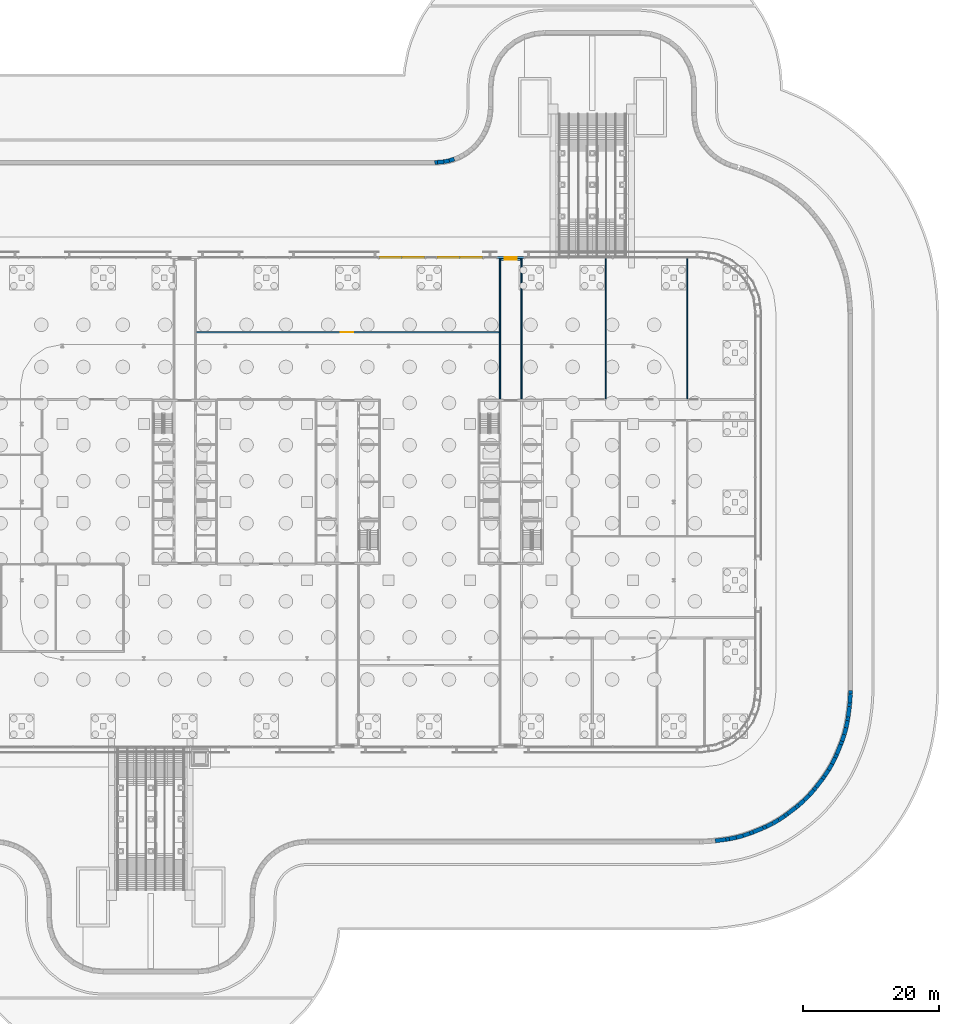
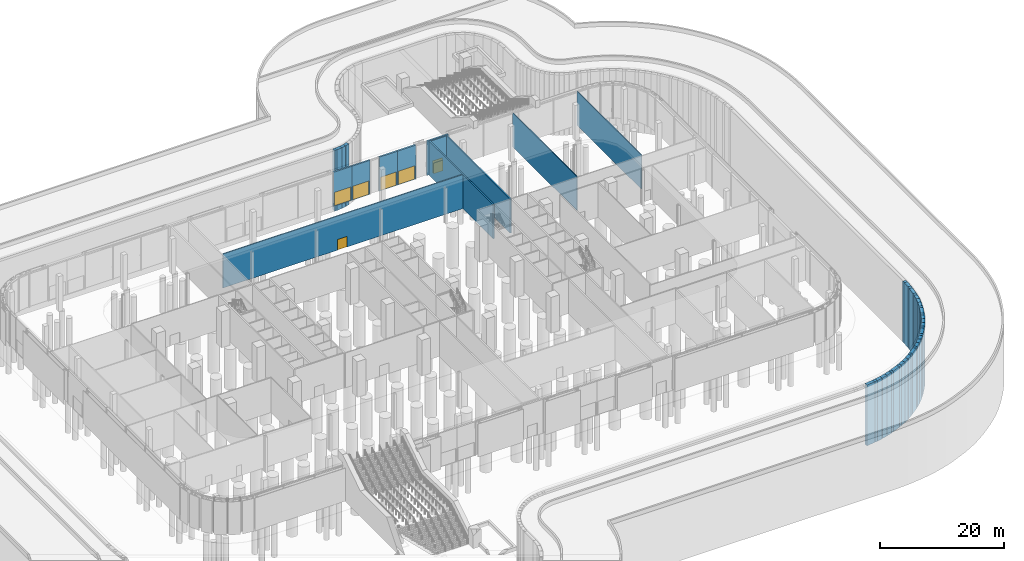
# One storey, part 29 of 48: 49 walls, 7 doors, 7 openings.
"""IFC4 building model written with IfcOpenShell, lengths in metres."""

from ifc_helpers import new_model, si_unit, direction, frame, frame_2d, origin, place, context, subcontext, project, spatial, rectangle, extrude, material, layer, layer_set, type_object, element, fill, save


model = new_model("IFC4")

# Units and contexts
model_context = context("Model", 3, precision=1e-05, world=origin(), true_north=direction((0.0, 1.0)))
body_context = subcontext(model_context, "Body", "Model", "MODEL_VIEW")
ifc_project = project(units=[si_unit("LENGTHUNIT", "METRE"), si_unit("AREAUNIT", "SQUARE_METRE"), si_unit("VOLUMEUNIT", "CUBIC_METRE"), si_unit("PLANEANGLEUNIT", "RADIAN"), si_unit("MASSUNIT", "GRAM", prefix="KILO")], contexts=[model_context])

# Site, building, storey
site_placement = place(None, origin())
site = spatial("IfcSite", under=ifc_project, at=site_placement, CompositionType="ELEMENT")
building_placement = place(site_placement, origin())
building = spatial("IfcBuilding", under=site, at=building_placement, Name="Mahtab Terrace Research Tower", CompositionType="ELEMENT")
storey_placement = place(building_placement, origin())
storey = spatial("IfcBuildingStorey", under=building, at=storey_placement, Name="G", CompositionType="ELEMENT", Elevation=0.0)

# Walls
ifc_material_1 = material(Name="Concrete C70/85", Category="concrete")
ifc_layer_1 = layer(ifc_material_1, 0.25)
ifc_layer_set_1 = layer_set([ifc_layer_1], Name="Core wall 250")
wall_type_1 = type_object("IfcWallType", Name="Core wall 250", PredefinedType="SOLIDWALL", material=ifc_layer_set_1)
for number, where, z_axis, x_axis, name in (
    (1, (22.425048828125, 15.125, 0.0), (0.0, 0.0, 1.0), (0.0, 1.0, 0.0), "Exit passage ST3 wall W"),
    (2, (25.574951171875, 15.125, 0.0), (0.0, 0.0, 1.0), (0.0, 1.0, 0.0), "Exit passage ST3 wall E"),
):
    element("IfcWall", number, at=place(storey_placement, frame(where, z_axis=z_axis, x_axis=x_axis)), inside=storey, type_object=wall_type_1, Name=name, PredefinedType="SOLIDWALL", context=body_context, shape_type="SweptSolid", body=[
        extrude(rectangle(XDim=20.72509765625, YDim=0.25, at=frame_2d((10.362548828125, 0.0))), origin(), (0.0, 0.0, 1.0), 6.699951171875),
    ])

# Wall, opening, door
wall_1_placement = place(storey_placement, frame((22.550048828125, 35.72509765625, 0.0), z_axis=(0.0, 0.0, 1.0), x_axis=(1.0, 0.0, 0.0)))
wall_1 = element("IfcWall", 3, at=wall_1_placement, inside=storey, type_object=wall_type_1, Name="Exit passage ST3 end wall", PredefinedType="SOLIDWALL", context=body_context, shape_type="SweptSolid", body=[
    extrude(rectangle(XDim=2.89990234375, YDim=0.25, at=frame_2d((1.449951171875, 0.0))), origin(), (0.0, 0.0, 1.0), 6.699951171875),
])
opening_1_placement = place(wall_1_placement, frame((0.550048828125, 0.0, 0.0)))
opening_1 = element("IfcOpeningElement", 4, at=opening_1_placement, cuts=wall_1, Name="Opening EX-ST3", PredefinedType="OPENING", context=body_context, shape_type="SweptSolid", body=[
    extrude(rectangle(XDim=1.800048828125, YDim=2.10009765625, at=frame_2d((0.89990234375, 1.050048828125))), frame((0.0, 0.135009765625, 0.0), z_axis=(0.0, -1.0, 0.0), x_axis=(1.0, 0.0, 0.0)), (0.0, 0.0, 1.0), 0.27001953125),
])
ifc_material_2 = material(Name="Steel and glass door", Category="steel")
door_type_1 = type_object("IfcDoorType", Name="Exit door 1800x2100", OperationType="DOUBLE_DOOR_SINGLE_SWING", PredefinedType="DOOR", material=ifc_material_2)
door_1_placement = place(opening_1_placement, origin())
door_1 = element("IfcDoor", 5, at=door_1_placement, inside=storey, type_object=door_type_1, Name="Exit door ST3", OperationType="DOUBLE_DOOR_SINGLE_SWING", OverallHeight=2.10009765625, OverallWidth=1.800048828125, PredefinedType="DOOR", context=body_context, shape_type="SweptSolid", body=[
    extrude(rectangle(XDim=1.800048828125, YDim=2.10009765625, at=frame_2d((0.89990234375, 1.050048828125))), frame((0.0, 0.02490234375, 0.0), z_axis=(0.0, -1.0, 0.0), x_axis=(1.0, 0.0, 0.0)), (0.0, 0.0, 1.0), 0.050048828125),
])
fill(opening_1, door_1)

ifc_material_3 = material(Name="Precast concrete C40/50", Category="concrete")
ifc_layer_2 = layer(ifc_material_3, 0.300048828125)
ifc_layer_set_2 = layer_set([ifc_layer_2], Name="Ground facade infill wall 300")
wall_type_2 = type_object("IfcWallType", Name="Ground facade infill wall 300", PredefinedType="NOTDEFINED", material=ifc_layer_set_2)
wall_2_placement = place(storey_placement, frame((22.0, 36.0, 0.0), z_axis=(0.0, 0.0, 1.0), x_axis=(1.0, 0.0, 0.0)))
wall_2 = element("IfcWall", 6, at=wall_2_placement, inside=storey, type_object=wall_type_2, Name="Ground facade wall Stair discharge ST3", PredefinedType="NOTDEFINED", context=body_context, shape_type="SweptSolid", body=[
    extrude(rectangle(XDim=4.0, YDim=0.300048828125, at=frame_2d((2.0, 0.0))), origin(), (0.0, 0.0, 1.0), 6.699951171875),
])
opening_2_placement = place(wall_2_placement, frame((1.10009765625, 0.0, 0.0)))
opening_2 = element("IfcOpeningElement", 7, at=opening_2_placement, cuts=wall_2, Name="Opening ED3", PredefinedType="OPENING", context=body_context, shape_type="SweptSolid", body=[
    extrude(rectangle(XDim=1.800048828125, YDim=2.39990234375, at=frame_2d((0.89990234375, 1.199951171875))), frame((0.0, 0.159912109375, 0.0), z_axis=(0.0, -1.0, 0.0), x_axis=(1.0, 0.0, 0.0)), (0.0, 0.0, 1.0), 0.320068359375),
])
ifc_material_4 = material(Name="Black anodised aluminium", Category="aluminium")
door_type_2 = type_object("IfcDoorType", Name="Stair discharge door 1800x2400", OperationType="DOUBLE_DOOR_DOUBLE_SWING", PredefinedType="DOOR", material=ifc_material_4)
door_2_placement = place(opening_2_placement, origin())
door_2 = element("IfcDoor", 8, at=door_2_placement, inside=storey, type_object=door_type_2, Name="Stair discharge ST3", OperationType="SINGLE_SWING_LEFT", OverallHeight=2.39990234375, OverallWidth=1.800048828125, PredefinedType="DOOR", context=body_context, shape_type="SweptSolid", body=[
    extrude(rectangle(XDim=1.800048828125, YDim=2.39990234375, at=frame_2d((0.89990234375, 1.199951171875))), frame((0.0, 0.02490234375, 0.0), z_axis=(0.0, -1.0, 0.0), x_axis=(1.0, 0.0, 0.0)), (0.0, 0.0, 1.0), 0.050048828125),
])
fill(opening_2, door_2)

wall_3_placement = place(storey_placement, frame((16.5, 36.0, 0.0), z_axis=(0.0, 0.0, 1.0), x_axis=(1.0, 0.0, 0.0)))
wall_3 = element("IfcWall", 9, at=wall_3_placement, inside=storey, type_object=wall_type_2, Name="Ground facade wall Forum side exit 2", PredefinedType="NOTDEFINED", context=body_context, shape_type="SweptSolid", body=[
    extrude(rectangle(XDim=3.39990234375, YDim=0.300048828125, at=frame_2d((1.699951171875, 0.0))), origin(), (0.0, 0.0, 1.0), 6.699951171875),
])
opening_3_placement = place(wall_3_placement, frame((0.199951171875, 0.0, 0.0)))
opening_3 = element("IfcOpeningElement", 10, at=opening_3_placement, cuts=wall_3, Name="Opening ED2", PredefinedType="OPENING", context=body_context, shape_type="SweptSolid", body=[
    extrude(rectangle(XDim=3.0, YDim=2.699951171875, at=frame_2d((1.5, 1.35009765625))), frame((0.0, 0.159912109375, 0.0), z_axis=(0.0, -1.0, 0.0), x_axis=(1.0, 0.0, 0.0)), (0.0, 0.0, 1.0), 0.320068359375),
])
door_type_3 = type_object("IfcDoorType", Name="Entrance double door 3000x2700", OperationType="DOUBLE_DOOR_DOUBLE_SWING", PredefinedType="DOOR", material=ifc_material_4)
door_3_placement = place(opening_3_placement, origin())
door_3 = element("IfcDoor", 11, at=door_3_placement, inside=storey, type_object=door_type_3, Name="Forum side exit 2", OperationType="SINGLE_SWING_LEFT", OverallHeight=2.699951171875, OverallWidth=3.0, PredefinedType="DOOR", context=body_context, shape_type="SweptSolid", body=[
    extrude(rectangle(XDim=3.0, YDim=2.699951171875, at=frame_2d((1.5, 1.35009765625))), frame((0.0, 0.02490234375, 0.0), z_axis=(0.0, -1.0, 0.0), x_axis=(1.0, 0.0, 0.0)), (0.0, 0.0, 1.0), 0.050048828125),
])
fill(opening_3, door_3)

wall_4_placement = place(storey_placement, frame((13.10009765625, 36.0, 0.0), z_axis=(0.0, 0.0, 1.0), x_axis=(1.0, 0.0, 0.0)))
wall_4 = element("IfcWall", 12, at=wall_4_placement, inside=storey, type_object=wall_type_2, Name="Ground facade wall Forum side exit 1", PredefinedType="NOTDEFINED", context=body_context, shape_type="SweptSolid", body=[
    extrude(rectangle(XDim=3.39990234375, YDim=0.300048828125, at=frame_2d((1.699951171875, 0.0))), origin(), (0.0, 0.0, 1.0), 6.699951171875),
])
opening_4_placement = place(wall_4_placement, frame((0.199951171875, 0.0, 0.0)))
opening_4 = element("IfcOpeningElement", 13, at=opening_4_placement, cuts=wall_4, Name="Opening ED2", PredefinedType="OPENING", context=body_context, shape_type="SweptSolid", body=[
    extrude(rectangle(XDim=3.0, YDim=2.699951171875, at=frame_2d((1.5, 1.35009765625))), frame((0.0, 0.159912109375, 0.0), z_axis=(0.0, -1.0, 0.0), x_axis=(1.0, 0.0, 0.0)), (0.0, 0.0, 1.0), 0.320068359375),
])
door_4_placement = place(opening_4_placement, origin())
door_4 = element("IfcDoor", 14, at=door_4_placement, inside=storey, type_object=door_type_3, Name="Forum side exit 1", OperationType="SINGLE_SWING_LEFT", OverallHeight=2.699951171875, OverallWidth=3.0, PredefinedType="DOOR", context=body_context, shape_type="SweptSolid", body=[
    extrude(rectangle(XDim=3.0, YDim=2.699951171875, at=frame_2d((1.5, 1.35009765625))), frame((0.0, 0.02490234375, 0.0), z_axis=(0.0, -1.0, 0.0), x_axis=(1.0, 0.0, 0.0)), (0.0, 0.0, 1.0), 0.050048828125),
])
fill(opening_4, door_4)

wall_5_placement = place(storey_placement, frame((8.0, 36.0, 0.0), z_axis=(0.0, 0.0, 1.0), x_axis=(1.0, 0.0, 0.0)))
wall_5 = element("IfcWall", 15, at=wall_5_placement, inside=storey, type_object=wall_type_2, Name="Ground facade wall Forum entrance 2", PredefinedType="NOTDEFINED", context=body_context, shape_type="SweptSolid", body=[
    extrude(rectangle(XDim=3.39990234375, YDim=0.300048828125, at=frame_2d((1.699951171875, 0.0))), origin(), (0.0, 0.0, 1.0), 6.699951171875),
])
opening_5_placement = place(wall_5_placement, frame((0.199951171875, 0.0, 0.0)))
opening_5 = element("IfcOpeningElement", 16, at=opening_5_placement, cuts=wall_5, Name="Opening ED2", PredefinedType="OPENING", context=body_context, shape_type="SweptSolid", body=[
    extrude(rectangle(XDim=3.0, YDim=2.699951171875, at=frame_2d((1.5, 1.35009765625))), frame((0.0, 0.159912109375, 0.0), z_axis=(0.0, -1.0, 0.0), x_axis=(1.0, 0.0, 0.0)), (0.0, 0.0, 1.0), 0.320068359375),
])
door_5_placement = place(opening_5_placement, origin())
door_5 = element("IfcDoor", 17, at=door_5_placement, inside=storey, type_object=door_type_3, Name="Forum entrance 2", OperationType="SINGLE_SWING_LEFT", OverallHeight=2.699951171875, OverallWidth=3.0, PredefinedType="DOOR", context=body_context, shape_type="SweptSolid", body=[
    extrude(rectangle(XDim=3.0, YDim=2.699951171875, at=frame_2d((1.5, 1.35009765625))), frame((0.0, 0.02490234375, 0.0), z_axis=(0.0, -1.0, 0.0), x_axis=(1.0, 0.0, 0.0)), (0.0, 0.0, 1.0), 0.050048828125),
])
fill(opening_5, door_5)

wall_6_placement = place(storey_placement, frame((4.60009765625, 36.0, 0.0), z_axis=(0.0, 0.0, 1.0), x_axis=(1.0, 0.0, 0.0)))
wall_6 = element("IfcWall", 18, at=wall_6_placement, inside=storey, type_object=wall_type_2, Name="Ground facade wall Forum entrance 1", PredefinedType="NOTDEFINED", context=body_context, shape_type="SweptSolid", body=[
    extrude(rectangle(XDim=3.39990234375, YDim=0.300048828125, at=frame_2d((1.699951171875, 0.0))), origin(), (0.0, 0.0, 1.0), 6.699951171875),
])
opening_6_placement = place(wall_6_placement, frame((0.199951171875, 0.0, 0.0)))
opening_6 = element("IfcOpeningElement", 19, at=opening_6_placement, cuts=wall_6, Name="Opening ED2", PredefinedType="OPENING", context=body_context, shape_type="SweptSolid", body=[
    extrude(rectangle(XDim=3.0, YDim=2.699951171875, at=frame_2d((1.5, 1.35009765625))), frame((0.0, 0.159912109375, 0.0), z_axis=(0.0, -1.0, 0.0), x_axis=(1.0, 0.0, 0.0)), (0.0, 0.0, 1.0), 0.320068359375),
])
door_6_placement = place(opening_6_placement, origin())
door_6 = element("IfcDoor", 20, at=door_6_placement, inside=storey, type_object=door_type_3, Name="Forum entrance 1", OperationType="SINGLE_SWING_LEFT", OverallHeight=2.699951171875, OverallWidth=3.0, PredefinedType="DOOR", context=body_context, shape_type="SweptSolid", body=[
    extrude(rectangle(XDim=3.0, YDim=2.699951171875, at=frame_2d((1.5, 1.35009765625))), frame((0.0, 0.02490234375, 0.0), z_axis=(0.0, -1.0, 0.0), x_axis=(1.0, 0.0, 0.0)), (0.0, 0.0, 1.0), 0.050048828125),
])
fill(opening_6, door_6)

# Walls
ifc_material_5 = material(Name="Concrete C32/40", Category="concrete")
ifc_layer_3 = layer(ifc_material_5, 0.60009765625)
ifc_layer_set_3 = layer_set([ifc_layer_3], Name="Site retaining wall 600")
wall_type_3 = type_object("IfcWallType", Name="Site retaining wall 600", PredefinedType="SOLIDWALL", material=ifc_layer_set_3)
wall_7_placement = place(storey_placement, frame((12.803955078125, 50.0, -12.25), z_axis=(0.0, 0.0, 1.0), x_axis=(0.998816787199, 0.048631528965, 0.0)))
element("IfcWall", 21, at=wall_7_placement, inside=storey, type_object=wall_type_3, Name="Site retaining wall 33", PredefinedType="SOLIDWALL", context=body_context, shape_type="SweptSolid", body=[
    extrude(rectangle(XDim=0.3916015625, YDim=0.60009765625, at=frame_2d((0.19580078125, 0.0))), origin(), (0.0, 0.0, 1.0), 11.93994140625),
])
wall_8_placement = place(storey_placement, frame((13.195068359375, 50.01904296875, -12.25), z_axis=(0.0, 0.0, 1.0), x_axis=(0.995191438552, 0.097948969534, 0.0)))
element("IfcWall", 22, at=wall_8_placement, inside=storey, type_object=wall_type_3, Name="Site retaining wall 34", PredefinedType="SOLIDWALL", context=body_context, shape_type="SweptSolid", body=[
    extrude(rectangle(XDim=0.9794921875, YDim=0.60009765625, at=frame_2d((0.48974609375, 0.0))), origin(), (0.0, 0.0, 1.0), 11.93994140625),
])
wall_9_placement = place(storey_placement, frame((14.169921875, 50.114990234375, -12.25), z_axis=(0.0, 0.0, 1.0), x_axis=(0.980664616578, 0.195695962634, 0.0)))
element("IfcWall", 23, at=wall_9_placement, inside=storey, type_object=wall_type_3, Name="Site retaining wall 35", PredefinedType="SOLIDWALL", context=body_context, shape_type="SweptSolid", body=[
    extrude(rectangle(XDim=0.7822265625, YDim=0.60009765625, at=frame_2d((0.39111328125, 0.0))), origin(), (0.0, 0.0, 1.0), 11.93994140625),
])
wall_10_placement = place(storey_placement, frame((14.93701171875, 50.26806640625, -12.25), z_axis=(0.0, 0.0, 1.0), x_axis=(0.956892976663, 0.290440753361, 0.0)))
element("IfcWall", 24, at=wall_10_placement, inside=storey, type_object=wall_type_3, Name="Site retaining wall 36", PredefinedType="SOLIDWALL", context=body_context, shape_type="SweptSolid", body=[
    extrude(rectangle(XDim=0.78173828125, YDim=0.60009765625, at=frame_2d((0.390869140625, 0.0))), origin(), (0.0, 0.0, 1.0), 11.93994140625),
])
wall_11_placement = place(storey_placement, frame((74.0, -27.738037109375, -12.25), z_axis=(0.0, 0.0, 1.0), x_axis=(-0.032601486541, -0.999468430254, 0.0)))
element("IfcWall", 25, at=wall_11_placement, inside=storey, type_object=wall_type_3, Name="Site retaining wall 115", PredefinedType="SOLIDWALL", context=body_context, shape_type="SweptSolid", body=[
    extrude(rectangle(XDim=0.524169921875, YDim=0.60009765625, at=frame_2d((0.26220703125, 0.0))), origin(), (0.0, 0.0, 1.0), 11.93994140625),
])
wall_12_placement = place(storey_placement, frame((73.98291015625, -28.261962890625, -12.25), z_axis=(0.0, 0.0, 1.0), x_axis=(-0.065652444475, -0.997842550974, 0.0)))
element("IfcWall", 26, at=wall_12_placement, inside=storey, type_object=wall_type_3, Name="Site retaining wall 116", PredefinedType="SOLIDWALL", context=body_context, shape_type="SweptSolid", body=[
    extrude(rectangle(XDim=1.30908203125, YDim=0.60009765625, at=frame_2d((0.654541015625, 0.0))), origin(), (0.0, 0.0, 1.0), 11.93994140625),
])
wall_13_placement = place(storey_placement, frame((73.89697265625, -29.568115234375, -12.25), z_axis=(0.0, 0.0, 1.0), x_axis=(-0.097291158151, -0.995255962326, 0.0)))
element("IfcWall", 27, at=wall_13_placement, inside=storey, type_object=wall_type_3, Name="Site retaining wall 117", PredefinedType="SOLIDWALL", context=body_context, shape_type="SweptSolid", body=[
    extrude(rectangle(XDim=0.5244140625, YDim=0.60009765625, at=frame_2d((0.26220703125, 0.0))), origin(), (0.0, 0.0, 1.0), 11.93994140625),
])
wall_14_placement = place(storey_placement, frame((73.845947265625, -30.090087890625, -12.25), z_axis=(0.0, 0.0, 1.0), x_axis=(-0.130926793734, -0.991392038844, 0.0)))
element("IfcWall", 28, at=wall_14_placement, inside=storey, type_object=wall_type_3, Name="Site retaining wall 118", PredefinedType="SOLIDWALL", context=body_context, shape_type="SweptSolid", body=[
    extrude(rectangle(XDim=1.564453125, YDim=0.60009765625, at=frame_2d((0.7822265625, 0.0))), origin(), (0.0, 0.0, 1.0), 11.93994140625),
])
wall_15_placement = place(storey_placement, frame((73.64111328125, -31.64111328125, -12.25), z_axis=(0.0, 0.0, 1.0), x_axis=(-0.162960149315, -0.98663265187, 0.0)))
element("IfcWall", 29, at=wall_15_placement, inside=storey, type_object=wall_type_3, Name="Site retaining wall 119", PredefinedType="SOLIDWALL", context=body_context, shape_type="SweptSolid", body=[
    extrude(rectangle(XDim=0.52294921875, YDim=0.60009765625, at=frame_2d((0.261474609375, 0.0))), origin(), (0.0, 0.0, 1.0), 11.93994140625),
])
wall_16_placement = place(storey_placement, frame((73.555908203125, -32.156982421875, -12.25), z_axis=(0.0, 0.0, 1.0), x_axis=(-0.195082654278, -0.98078680558, 0.0)))
element("IfcWall", 30, at=wall_16_placement, inside=storey, type_object=wall_type_3, Name="Site retaining wall 120", PredefinedType="SOLIDWALL", context=body_context, shape_type="SweptSolid", body=[
    extrude(rectangle(XDim=1.044921875, YDim=0.60009765625, at=frame_2d((0.5224609375, 0.0))), origin(), (0.0, 0.0, 1.0), 11.93994140625),
])
wall_17_placement = place(storey_placement, frame((73.35205078125, -33.181884765625, -12.25), z_axis=(0.0, 0.0, 1.0), x_axis=(-0.259144501686, -0.965838561689, 0.0)))
element("IfcWall", 31, at=wall_17_placement, inside=storey, type_object=wall_type_3, Name="Site retaining wall 121", PredefinedType="SOLIDWALL", context=body_context, shape_type="SweptSolid", body=[
    extrude(rectangle(XDim=1.045654296875, YDim=0.60009765625, at=frame_2d((0.52294921875, 0.0))), origin(), (0.0, 0.0, 1.0), 11.93994140625),
])
wall_18_placement = place(storey_placement, frame((73.0810546875, -34.19189453125, -12.25), z_axis=(0.0, 0.0, 1.0), x_axis=(-0.321621966631, -0.946868159028, 0.0)))
element("IfcWall", 32, at=wall_18_placement, inside=storey, type_object=wall_type_3, Name="Site retaining wall 122", PredefinedType="SOLIDWALL", context=body_context, shape_type="SweptSolid", body=[
    extrude(rectangle(XDim=1.04443359375, YDim=0.60009765625, at=frame_2d((0.522216796875, 0.0))), origin(), (0.0, 0.0, 1.0), 11.93994140625),
])
wall_19_placement = place(storey_placement, frame((72.7451171875, -35.180908203125, -12.25), z_axis=(0.0, 0.0, 1.0), x_axis=(-0.352300871053, -0.93588679671, 0.0)))
element("IfcWall", 33, at=wall_19_placement, inside=storey, type_object=wall_type_3, Name="Site retaining wall 123", PredefinedType="SOLIDWALL", context=body_context, shape_type="SweptSolid", body=[
    extrude(rectangle(XDim=0.5224609375, YDim=0.60009765625, at=frame_2d((0.26123046875, 0.0))), origin(), (0.0, 0.0, 1.0), 11.93994140625),
])
wall_20_placement = place(storey_placement, frame((72.56103515625, -35.669921875, -12.25), z_axis=(0.0, 0.0, 1.0), x_axis=(-0.382765051235, -0.923845720645, 0.0)))
element("IfcWall", 34, at=wall_20_placement, inside=storey, type_object=wall_type_3, Name="Site retaining wall 124", PredefinedType="SOLIDWALL", context=body_context, shape_type="SweptSolid", body=[
    extrude(rectangle(XDim=1.565185546875, YDim=0.60009765625, at=frame_2d((0.78271484375, 0.0))), origin(), (0.0, 0.0, 1.0), 11.93994140625),
])
wall_21_placement = place(storey_placement, frame((71.9619140625, -37.115966796875, -12.25), z_axis=(0.0, 0.0, 1.0), x_axis=(-0.411336227133, -0.911483685124, 0.0)))
element("IfcWall", 35, at=wall_21_placement, inside=storey, type_object=wall_type_3, Name="Site retaining wall 125", PredefinedType="SOLIDWALL", context=body_context, shape_type="SweptSolid", body=[
    extrude(rectangle(XDim=0.522216796875, YDim=0.60009765625, at=frame_2d((0.26123046875, 0.0))), origin(), (0.0, 0.0, 1.0), 11.93994140625),
])
wall_22_placement = place(storey_placement, frame((71.7470703125, -37.592041015625, -12.25), z_axis=(0.0, 0.0, 1.0), x_axis=(-0.442346554803, -0.896844203557, 0.0)))
element("IfcWall", 36, at=wall_22_placement, inside=storey, type_object=wall_type_3, Name="Site retaining wall 126", PredefinedType="SOLIDWALL", context=body_context, shape_type="SweptSolid", body=[
    extrude(rectangle(XDim=1.044677734375, YDim=0.60009765625, at=frame_2d((0.5224609375, 0.0))), origin(), (0.0, 0.0, 1.0), 11.93994140625),
])
wall_23_placement = place(storey_placement, frame((71.284912109375, -38.529052734375, -12.25), z_axis=(0.0, 0.0, 1.0), x_axis=(-0.499904278411, -0.866080661617, 0.0)))
element("IfcWall", 37, at=wall_23_placement, inside=storey, type_object=wall_type_3, Name="Site retaining wall 127", PredefinedType="SOLIDWALL", context=body_context, shape_type="SweptSolid", body=[
    extrude(rectangle(XDim=1.046142578125, YDim=0.60009765625, at=frame_2d((0.52294921875, 0.0))), origin(), (0.0, 0.0, 1.0), 11.93994140625),
])
wall_24_placement = place(storey_placement, frame((70.761962890625, -39.43505859375, -12.25), z_axis=(0.0, 0.0, 1.0), x_axis=(-0.555671271426, -0.831402091717, 0.0)))
element("IfcWall", 38, at=wall_24_placement, inside=storey, type_object=wall_type_3, Name="Site retaining wall 128", PredefinedType="SOLIDWALL", context=body_context, shape_type="SweptSolid", body=[
    extrude(rectangle(XDim=1.0439453125, YDim=0.60009765625, at=frame_2d((0.52197265625, 0.0))), origin(), (0.0, 0.0, 1.0), 11.93994140625),
])
wall_25_placement = place(storey_placement, frame((70.181884765625, -40.302978515625, -12.25), z_axis=(0.0, 0.0, 1.0), x_axis=(-0.58291457385, -0.812533445215, 0.0)))
element("IfcWall", 39, at=wall_25_placement, inside=storey, type_object=wall_type_3, Name="Site retaining wall 129", PredefinedType="SOLIDWALL", context=body_context, shape_type="SweptSolid", body=[
    extrude(rectangle(XDim=0.523193359375, YDim=0.60009765625, at=frame_2d((0.26171875, 0.0))), origin(), (0.0, 0.0, 1.0), 11.93994140625),
])
wall_26_placement = place(storey_placement, frame((69.876953125, -40.72802734375, -12.25), z_axis=(0.0, 0.0, 1.0), x_axis=(-0.60832999878, -0.79368420205, 0.0)))
element("IfcWall", 40, at=wall_26_placement, inside=storey, type_object=wall_type_3, Name="Site retaining wall 130", PredefinedType="SOLIDWALL", context=body_context, shape_type="SweptSolid", body=[
    extrude(rectangle(XDim=1.564697265625, YDim=0.60009765625, at=frame_2d((0.7822265625, 0.0))), origin(), (0.0, 0.0, 1.0), 11.93994140625),
])
wall_27_placement = place(storey_placement, frame((68.925048828125, -41.969970703125, -12.25), z_axis=(0.0, 0.0, 1.0), x_axis=(-0.635086879422, -0.772440713315, 0.0)))
element("IfcWall", 41, at=wall_27_placement, inside=storey, type_object=wall_type_3, Name="Site retaining wall 131", PredefinedType="SOLIDWALL", context=body_context, shape_type="SweptSolid", body=[
    extrude(rectangle(XDim=0.5244140625, YDim=0.60009765625, at=frame_2d((0.26220703125, 0.0))), origin(), (0.0, 0.0, 1.0), 11.93994140625),
])
wall_28_placement = place(storey_placement, frame((68.592041015625, -42.375, -12.25), z_axis=(0.0, 0.0, 1.0), x_axis=(-0.658636785245, -0.752461019005, 0.0)))
element("IfcWall", 42, at=wall_28_placement, inside=storey, type_object=wall_type_3, Name="Site retaining wall 132", PredefinedType="SOLIDWALL", context=body_context, shape_type="SweptSolid", body=[
    extrude(rectangle(XDim=1.046142578125, YDim=0.60009765625, at=frame_2d((0.52294921875, 0.0))), origin(), (0.0, 0.0, 1.0), 11.93994140625),
])
wall_29_placement = place(storey_placement, frame((67.903076171875, -43.162109375, -12.25), z_axis=(0.0, 0.0, 1.0), x_axis=(-0.707106781187, -0.707106781187, 0.0)))
element("IfcWall", 43, at=wall_29_placement, inside=storey, type_object=wall_type_3, Name="Site retaining wall 133", PredefinedType="SOLIDWALL", context=body_context, shape_type="SweptSolid", body=[
    extrude(rectangle(XDim=1.0478515625, YDim=0.60009765625, at=frame_2d((0.52392578125, 0.0))), origin(), (0.0, 0.0, 1.0), 11.93994140625),
])
wall_30_placement = place(storey_placement, frame((67.162109375, -43.903076171875, -12.25), z_axis=(0.0, 0.0, 1.0), x_axis=(-0.751998439895, -0.65916488559, 0.0)))
element("IfcWall", 44, at=wall_30_placement, inside=storey, type_object=wall_type_3, Name="Site retaining wall 134", PredefinedType="SOLIDWALL", context=body_context, shape_type="SweptSolid", body=[
    extrude(rectangle(XDim=1.046630859375, YDim=0.60009765625, at=frame_2d((0.5234375, 0.0))), origin(), (0.0, 0.0, 1.0), 11.93994140625),
])
wall_31_placement = place(storey_placement, frame((66.375, -44.593017578125, -12.25), z_axis=(0.0, 0.0, 1.0), x_axis=(-0.773354637197, -0.633973662802, 0.0)))
element("IfcWall", 45, at=wall_31_placement, inside=storey, type_object=wall_type_3, Name="Site retaining wall 135", PredefinedType="SOLIDWALL", context=body_context, shape_type="SweptSolid", body=[
    extrude(rectangle(XDim=0.523681640625, YDim=0.60009765625, at=frame_2d((0.26171875, 0.0))), origin(), (0.0, 0.0, 1.0), 11.93994140625),
])
wall_32_placement = place(storey_placement, frame((65.969970703125, -44.925048828125, -12.25), z_axis=(0.0, 0.0, 1.0), x_axis=(-0.79368420205, -0.60832999878, 0.0)))
element("IfcWall", 46, at=wall_32_placement, inside=storey, type_object=wall_type_3, Name="Site retaining wall 136", PredefinedType="SOLIDWALL", context=body_context, shape_type="SweptSolid", body=[
    extrude(rectangle(XDim=1.564697265625, YDim=0.60009765625, at=frame_2d((0.7822265625, 0.0))), origin(), (0.0, 0.0, 1.0), 11.93994140625),
])
wall_33_placement = place(storey_placement, frame((64.72802734375, -45.876953125, -12.25), z_axis=(0.0, 0.0, 1.0), x_axis=(-0.812533445215, -0.58291457385, 0.0)))
element("IfcWall", 47, at=wall_33_placement, inside=storey, type_object=wall_type_3, Name="Site retaining wall 137", PredefinedType="SOLIDWALL", context=body_context, shape_type="SweptSolid", body=[
    extrude(rectangle(XDim=0.523193359375, YDim=0.60009765625, at=frame_2d((0.26171875, 0.0))), origin(), (0.0, 0.0, 1.0), 11.93994140625),
])
wall_34_placement = place(storey_placement, frame((64.302978515625, -46.181884765625, -12.25), z_axis=(0.0, 0.0, 1.0), x_axis=(-0.831402091717, -0.555671271426, 0.0)))
element("IfcWall", 48, at=wall_34_placement, inside=storey, type_object=wall_type_3, Name="Site retaining wall 138", PredefinedType="SOLIDWALL", context=body_context, shape_type="SweptSolid", body=[
    extrude(rectangle(XDim=1.0439453125, YDim=0.60009765625, at=frame_2d((0.52197265625, 0.0))), origin(), (0.0, 0.0, 1.0), 11.93994140625),
])
wall_35_placement = place(storey_placement, frame((63.43505859375, -46.761962890625, -12.25), z_axis=(0.0, 0.0, 1.0), x_axis=(-0.866080661617, -0.499904278411, 0.0)))
element("IfcWall", 49, at=wall_35_placement, inside=storey, type_object=wall_type_3, Name="Site retaining wall 139", PredefinedType="SOLIDWALL", context=body_context, shape_type="SweptSolid", body=[
    extrude(rectangle(XDim=1.046142578125, YDim=0.60009765625, at=frame_2d((0.52294921875, 0.0))), origin(), (0.0, 0.0, 1.0), 11.93994140625),
])
wall_36_placement = place(storey_placement, frame((62.529052734375, -47.284912109375, -12.25), z_axis=(0.0, 0.0, 1.0), x_axis=(-0.896844203557, -0.442346554803, 0.0)))
element("IfcWall", 50, at=wall_36_placement, inside=storey, type_object=wall_type_3, Name="Site retaining wall 140", PredefinedType="SOLIDWALL", context=body_context, shape_type="SweptSolid", body=[
    extrude(rectangle(XDim=1.044677734375, YDim=0.60009765625, at=frame_2d((0.5224609375, 0.0))), origin(), (0.0, 0.0, 1.0), 11.93994140625),
])
wall_37_placement = place(storey_placement, frame((61.592041015625, -47.7470703125, -12.25), z_axis=(0.0, 0.0, 1.0), x_axis=(-0.91078189984, -0.412887794594, 0.0)))
element("IfcWall", 51, at=wall_37_placement, inside=storey, type_object=wall_type_3, Name="Site retaining wall 141", PredefinedType="SOLIDWALL", context=body_context, shape_type="SweptSolid", body=[
    extrude(rectangle(XDim=0.522705078125, YDim=0.60009765625, at=frame_2d((0.26123046875, 0.0))), origin(), (0.0, 0.0, 1.0), 11.93994140625),
])
wall_38_placement = place(storey_placement, frame((61.115966796875, -47.962890625, -12.25), z_axis=(0.0, 0.0, 1.0), x_axis=(-0.924066242086, -0.382232364192, 0.0)))
element("IfcWall", 52, at=wall_38_placement, inside=storey, type_object=wall_type_3, Name="Site retaining wall 142", PredefinedType="SOLIDWALL", context=body_context, shape_type="SweptSolid", body=[
    extrude(rectangle(XDim=1.56494140625, YDim=0.60009765625, at=frame_2d((0.782470703125, 0.0))), origin(), (0.0, 0.0, 1.0), 11.93994140625),
])
wall_39_placement = place(storey_placement, frame((59.669921875, -48.56103515625, -12.25), z_axis=(0.0, 0.0, 1.0), x_axis=(-0.935269548219, -0.353936254393, 0.0)))
element("IfcWall", 53, at=wall_39_placement, inside=storey, type_object=wall_type_3, Name="Site retaining wall 143", PredefinedType="SOLIDWALL", context=body_context, shape_type="SweptSolid", body=[
    extrude(rectangle(XDim=0.52294921875, YDim=0.60009765625, at=frame_2d((0.261474609375, 0.0))), origin(), (0.0, 0.0, 1.0), 11.93994140625),
])
wall_40_placement = place(storey_placement, frame((59.180908203125, -48.74609375, -12.25), z_axis=(0.0, 0.0, 1.0), x_axis=(-0.947152596252, -0.320783352767, 0.0)))
element("IfcWall", 54, at=wall_40_placement, inside=storey, type_object=wall_type_3, Name="Site retaining wall 144", PredefinedType="SOLIDWALL", context=body_context, shape_type="SweptSolid", body=[
    extrude(rectangle(XDim=1.044189453125, YDim=0.60009765625, at=frame_2d((0.52197265625, 0.0))), origin(), (0.0, 0.0, 1.0), 11.93994140625),
])
wall_41_placement = place(storey_placement, frame((58.19189453125, -49.0810546875, -12.25), z_axis=(0.0, 0.0, 1.0), x_axis=(-0.965838561689, -0.259144501686, 0.0)))
element("IfcWall", 55, at=wall_41_placement, inside=storey, type_object=wall_type_3, Name="Site retaining wall 145", PredefinedType="SOLIDWALL", context=body_context, shape_type="SweptSolid", body=[
    extrude(rectangle(XDim=1.045654296875, YDim=0.60009765625, at=frame_2d((0.52294921875, 0.0))), origin(), (0.0, 0.0, 1.0), 11.93994140625),
])
wall_42_placement = place(storey_placement, frame((57.181884765625, -49.35205078125, -12.25), z_axis=(0.0, 0.0, 1.0), x_axis=(-0.98078680558, -0.195082654278, 0.0)))
element("IfcWall", 56, at=wall_42_placement, inside=storey, type_object=wall_type_3, Name="Site retaining wall 146", PredefinedType="SOLIDWALL", context=body_context, shape_type="SweptSolid", body=[
    extrude(rectangle(XDim=1.044921875, YDim=0.60009765625, at=frame_2d((0.5224609375, 0.0))), origin(), (0.0, 0.0, 1.0), 11.93994140625),
])
wall_43_placement = place(storey_placement, frame((56.156982421875, -49.555908203125, -12.25), z_axis=(0.0, 0.0, 1.0), x_axis=(-0.98663265187, -0.162960149315, 0.0)))
element("IfcWall", 57, at=wall_43_placement, inside=storey, type_object=wall_type_3, Name="Site retaining wall 147", PredefinedType="SOLIDWALL", context=body_context, shape_type="SweptSolid", body=[
    extrude(rectangle(XDim=0.52294921875, YDim=0.60009765625, at=frame_2d((0.261474609375, 0.0))), origin(), (0.0, 0.0, 1.0), 11.93994140625),
])
wall_44_placement = place(storey_placement, frame((55.64111328125, -49.64111328125, -12.25), z_axis=(0.0, 0.0, 1.0), x_axis=(-0.991392038844, -0.130926793734, 0.0)))
element("IfcWall", 58, at=wall_44_placement, inside=storey, type_object=wall_type_3, Name="Site retaining wall 148", PredefinedType="SOLIDWALL", context=body_context, shape_type="SweptSolid", body=[
    extrude(rectangle(XDim=1.564453125, YDim=0.60009765625, at=frame_2d((0.7822265625, 0.0))), origin(), (0.0, 0.0, 1.0), 11.93994140625),
])

# Wall, opening, door
ifc_material_6 = material(Name="Gypsum board corridor wall on steel studs", Category="steel")
ifc_layer_4 = layer(ifc_material_6, 0.199951171875)
ifc_layer_set_4 = layer_set([ifc_layer_4], Name="WALL CORRIDOR 200")
wall_type_4 = type_object("IfcWallType", Name="WALL CORRIDOR 200", PredefinedType="PARTITIONING", material=ifc_layer_set_4)
wall_45_placement = place(storey_placement, frame((-22.300048828125, 25.0, 0.0), z_axis=(0.0, 0.0, 1.0), x_axis=(1.0, 0.0, 0.0)))
wall_45 = element("IfcWall", 59, at=wall_45_placement, inside=storey, type_object=wall_type_4, Name="G-W020", PredefinedType="PARTITIONING", context=body_context, shape_type="SweptSolid", body=[
    extrude(rectangle(XDim=44.60009765625, YDim=0.199951171875, at=frame_2d((22.300048828125, 0.0))), origin(), (0.0, 0.0, 1.0), 6.699951171875),
])
opening_7_placement = place(wall_45_placement, frame((21.300048828125, 0.0, 0.0)))
opening_7 = element("IfcOpeningElement", 60, at=opening_7_placement, cuts=wall_45, Name="Opening G-121", PredefinedType="OPENING", context=body_context, shape_type="SweptSolid", body=[
    extrude(rectangle(XDim=1.800048828125, YDim=2.10009765625, at=frame_2d((0.89990234375, 1.050048828125))), frame((0.0, 0.10986328125, 0.0), z_axis=(0.0, -1.0, 0.0), x_axis=(1.0, 0.0, 0.0)), (0.0, 0.0, 1.0), 0.219970703125),
])
ifc_material_7 = material(Name="Timber door leaf in steel frame", Category="steel")
door_type_4 = type_object("IfcDoorType", Name="DOOR 1800X2100 FD30S", OperationType="DOUBLE_DOOR_SINGLE_SWING", PredefinedType="DOOR", material=ifc_material_7)
door_7_placement = place(opening_7_placement, origin())
door_7 = element("IfcDoor", 61, at=door_7_placement, inside=storey, type_object=door_type_4, Name="Door G-121", OperationType="DOUBLE_DOOR_SINGLE_SWING", OverallHeight=2.10009765625, OverallWidth=1.800048828125, PredefinedType="DOOR", context=body_context, shape_type="SweptSolid", body=[
    extrude(rectangle(XDim=1.800048828125, YDim=2.10009765625, at=frame_2d((0.89990234375, 1.050048828125))), frame((0.0, 0.02490234375, 0.0), z_axis=(0.0, -1.0, 0.0), x_axis=(1.0, 0.0, 0.0)), (0.0, 0.0, 1.0), 0.050048828125),
])
fill(opening_7, door_7)

# Walls
ifc_material_8 = material(Name="Gypsum board partition on steel studs", Category="steel")
ifc_layer_5 = layer(ifc_material_8, 0.14990234375)
ifc_layer_set_5 = layer_set([ifc_layer_5], Name="WALL PARTITION 150")
wall_type_5 = type_object("IfcWallType", Name="WALL PARTITION 150", PredefinedType="PARTITIONING", material=ifc_layer_set_5)
for number, where, z_axis, x_axis, name in (
    (62, (38.0, 15.22509765625, 0.0), (0.0, 0.0, 1.0), (0.0, 1.0, 0.0), "G-W028"),
    (63, (50.0, 15.22509765625, 0.0), (0.0, 0.0, 1.0), (0.0, 1.0, 0.0), "G-W032"),
):
    element("IfcWall", number, at=place(storey_placement, frame(where, z_axis=z_axis, x_axis=x_axis)), inside=storey, type_object=wall_type_5, Name=name, PredefinedType="PARTITIONING", context=body_context, shape_type="SweptSolid", body=[
        extrude(rectangle(XDim=20.75, YDim=0.14990234375, at=frame_2d((10.375, 0.0))), origin(), (0.0, 0.0, 1.0), 6.699951171875),
    ])

save(model, "model.ifc")
